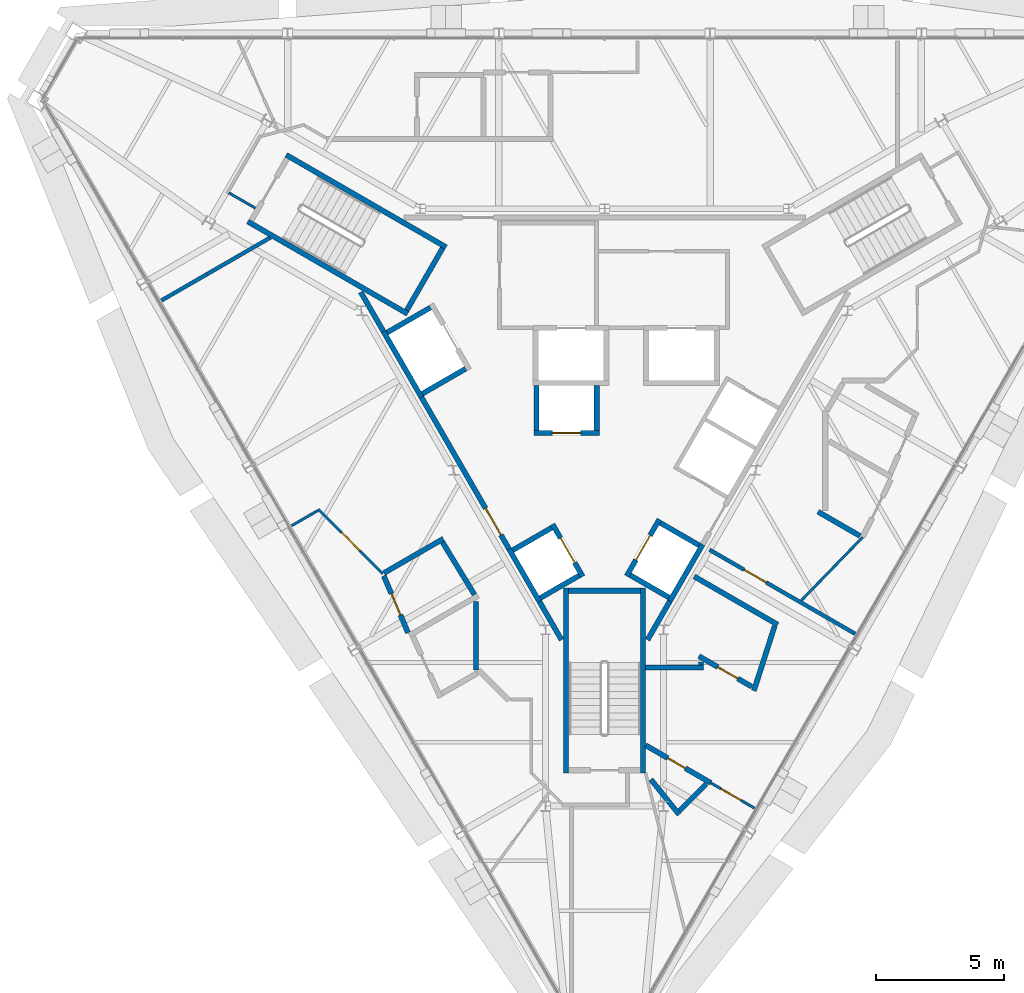
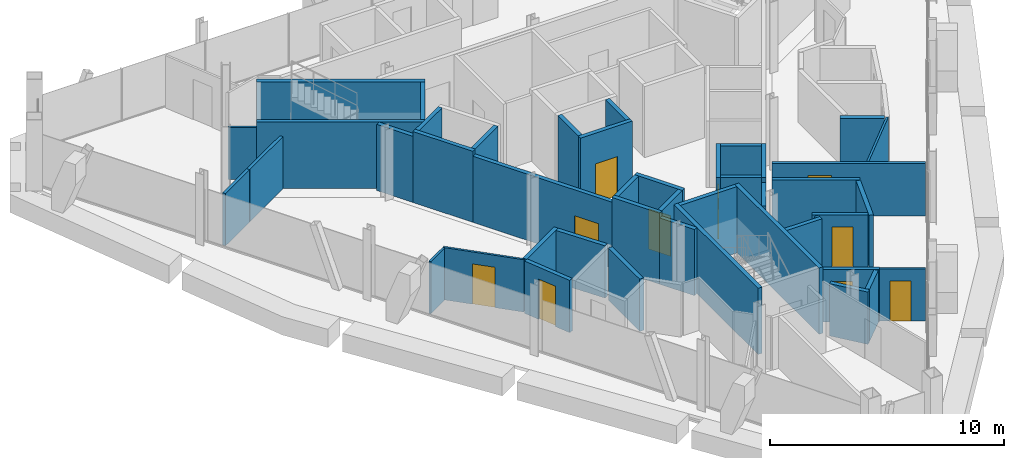
# One storey, part 8 of 11: 45 walls, 10 doors, 10 openings.
"""IFC4 building model written with IfcOpenShell, lengths in metres."""

from ifc_helpers import new_model, si_unit, direction, frame, frame_2d, origin, place, context, subcontext, project, spatial, rectangle, extrude, material, layer, layer_set, type_object, element, fill, save


model = new_model("IFC4")

# Units and contexts
model_context = context("Model", 3, precision=1e-05, world=origin(), true_north=direction((0.0, 1.0)))
body_context = subcontext(model_context, "Body", "Model", "MODEL_VIEW")
ifc_project = project(units=[si_unit("LENGTHUNIT", "METRE"), si_unit("AREAUNIT", "SQUARE_METRE"), si_unit("VOLUMEUNIT", "CUBIC_METRE"), si_unit("PLANEANGLEUNIT", "RADIAN"), si_unit("MASSUNIT", "GRAM", prefix="KILO")], contexts=[model_context])

# Site, building, storey
site_placement = place(None, origin())
site = spatial("IfcSite", under=ifc_project, at=site_placement, CompositionType="ELEMENT")
building_placement = place(site_placement, origin())
building = spatial("IfcBuilding", under=site, at=building_placement, Name="Verrane Prism Tower", CompositionType="ELEMENT")
storey_placement = place(building_placement, frame((0.0, 0.0, 267.699951171875)))
storey = spatial("IfcBuildingStorey", under=building, at=storey_placement, Name="L67", CompositionType="ELEMENT", Elevation=267.699951171875)

# Wall
ifc_material_1 = material(Name="Gypsum board partition", Category="other")
ifc_layer_1 = layer(ifc_material_1, 0.199951171875)
ifc_layer_set_1 = layer_set([ifc_layer_1], Name="CW-200 core boundary wall 2 h")
wall_type_1 = type_object("IfcWallType", Name="CW-200 core boundary wall 2 h", PredefinedType="PARTITIONING", material=ifc_layer_set_1)
wall_1_placement = place(storey_placement, frame((-9.509033203125, 3.550537109375, 0.0), z_axis=(0.0, 0.0, 1.0), x_axis=(0.499999136801, -0.866025902152, 0.0)))
element("IfcWall", 1, at=wall_1_placement, inside=storey, type_object=wall_type_1, Name="Core boundary wall CW3-001", PredefinedType="PARTITIONING", context=body_context, shape_type="SweptSolid", body=[
    extrude(rectangle(XDim=1.7822265625, YDim=0.199951171875, at=frame_2d((0.89111328125, 0.0))), origin(), (0.0, 0.0, 1.0), 3.449951171875),
])

# Wall, opening, door
wall_2_placement = place(storey_placement, frame((-7.14111328125, -0.551025390625, 0.0), z_axis=(0.0, 0.0, 1.0), x_axis=(0.500001302854, -0.86602465158, 0.0)))
wall_2 = element("IfcWall", 2, at=wall_2_placement, inside=storey, type_object=wall_type_1, Name="Core boundary wall CW3-003", PredefinedType="PARTITIONING", context=body_context, shape_type="SweptSolid", body=[
    extrude(rectangle(XDim=6.84619140625, YDim=0.199951171875, at=frame_2d((3.423095703125, 0.0))), origin(), (0.0, 0.0, 1.0), 3.449951171875),
])
opening_1_placement = place(wall_2_placement, frame((5.0, 0.0, 0.0)))
opening_1 = element("IfcOpeningElement", 3, at=opening_1_placement, cuts=wall_2, Name="Opening D66510", PredefinedType="OPENING", context=body_context, shape_type="SweptSolid", body=[
    extrude(rectangle(XDim=1.199951171875, YDim=2.10009765625, at=frame_2d((0.60009765625, 1.050048828125))), frame((0.0, 0.10986328125, 0.0), z_axis=(0.0, -1.0, 0.0), x_axis=(1.0, 0.0, 0.0)), (0.0, 0.0, 1.0), 0.219970703125),
])
ifc_material_2 = material(Name="Timber veneered door leaf", Category="wood")
door_type_1 = type_object("IfcDoorType", Name="DR-1200x2100 FD60 single leaf lift lobby", OperationType="NOTDEFINED", PredefinedType="DOOR", material=ifc_material_2)
door_1_placement = place(opening_1_placement, origin())
door_1 = element("IfcDoor", 4, at=door_1_placement, inside=storey, type_object=door_type_1, Name="Lift lobby door D66510", OperationType="SINGLE_SWING_RIGHT", OverallHeight=2.10009765625, OverallWidth=1.199951171875, PredefinedType="DOOR", context=body_context, shape_type="SweptSolid", body=[
    extrude(rectangle(XDim=1.199951171875, YDim=2.10009765625, at=frame_2d((0.60009765625, 1.050048828125))), frame((0.0, 0.02490234375, 0.0), z_axis=(0.0, -1.0, 0.0), x_axis=(1.0, 0.0, 0.0)), (0.0, 0.0, 1.0), 0.050048828125),
])
fill(opening_1, door_1)

# Walls
wall_3_placement = place(storey_placement, frame((-2.541015625, -8.51904296875, 0.0), z_axis=(0.0, 0.0, 1.0), x_axis=(0.500016142392, -0.86601608377, 0.0)))
element("IfcWall", 5, at=wall_3_placement, inside=storey, type_object=wall_type_1, Name="Core boundary wall CW3-004", PredefinedType="PARTITIONING", context=body_context, shape_type="SweptSolid", body=[
    extrude(rectangle(XDim=1.72705078125, YDim=0.199951171875, at=frame_2d((0.863525390625, 0.0))), origin(), (0.0, 0.0, 1.0), 3.449951171875),
])
wall_4_placement = place(storey_placement, frame((1.677490234375, -10.0146484375, 0.0), z_axis=(0.0, 0.0, 1.0), x_axis=(0.49983532306, 0.866120459187, 0.0)))
element("IfcWall", 6, at=wall_4_placement, inside=storey, type_object=wall_type_1, Name="Core boundary wall CW3-005", PredefinedType="PARTITIONING", context=body_context, shape_type="SweptSolid", body=[
    extrude(rectangle(XDim=1.74755859375, YDim=0.199951171875, at=frame_2d((0.873779296875, 0.0))), origin(), (0.0, 0.0, 1.0), 3.449951171875),
])
ifc_material_3 = material(Name="Concrete C40/50", Category="concrete")
ifc_layer_2 = layer(ifc_material_3, 0.199951171875)
ifc_layer_set_2 = layer_set([ifc_layer_2], Name="CW-200 stair core wall concrete C40/50 3 h")
wall_type_2 = type_object("IfcWallType", Name="CW-200 stair core wall concrete C40/50 3 h", PredefinedType="PARTITIONING", material=ifc_layer_set_2)
for number, where, z_axis, x_axis, name in (
    (7, (-7.67822265625, 2.700927734375, 0.0), (0.0, 0.0, 1.0), (-0.866018442252, 0.500012057535, 0.0), "Stair 2 enclosure wall"),
    (8, (-6.17822265625, 5.299072265625, 0.0), (0.0, 0.0, 1.0), (-0.866033125095, 0.499986626058, 0.0), "Stair 2 enclosure wall"),
):
    element("IfcWall", number, at=place(storey_placement, frame(where, z_axis=z_axis, x_axis=x_axis)), inside=storey, type_object=wall_type_2, Name=name, PredefinedType="PARTITIONING", context=body_context, shape_type="SweptSolid", body=[
        extrude(rectangle(XDim=7.199951171875, YDim=0.199951171875, at=frame_2d((3.60009765625, 0.0))), origin(), (0.0, 0.0, 1.0), 3.449951171875),
    ])
wall_5_placement = place(storey_placement, frame((-6.314697265625, 5.262451171875, 0.0), z_axis=(0.0, 0.0, 1.0), x_axis=(-0.500049511043, -0.865996816683, 0.0)))
element("IfcWall", 9, at=wall_5_placement, inside=storey, type_object=wall_type_2, Name="Stair 2 enclosure wall", PredefinedType="PARTITIONING", context=body_context, shape_type="SweptSolid", body=[
    extrude(rectangle(XDim=2.800048828125, YDim=0.199951171875, at=frame_2d((1.39990234375, 0.0))), origin(), (0.0, 0.0, 1.0), 3.449951171875),
])
for number, where, z_axis, x_axis, name in (
    (10, (1.5, -8.0, 0.0), (0.0, 0.0, 1.0), (0.0, -1.0, 0.0), "Stair 3 enclosure wall"),
    (11, (-1.5, -8.0, 0.0), (0.0, 0.0, 1.0), (0.0, -1.0, 0.0), "Stair 3 enclosure wall"),
):
    element("IfcWall", number, at=place(storey_placement, frame(where, z_axis=z_axis, x_axis=x_axis)), inside=storey, type_object=wall_type_2, Name=name, PredefinedType="PARTITIONING", context=body_context, shape_type="SweptSolid", body=[
        extrude(rectangle(XDim=7.199951171875, YDim=0.199951171875, at=frame_2d((3.60009765625, 0.0))), origin(), (0.0, 0.0, 1.0), 3.449951171875),
    ])
wall_6_placement = place(storey_placement, frame((-1.39990234375, -8.10009765625, 0.0), z_axis=(0.0, 0.0, 1.0), x_axis=(1.0, 0.0, 0.0)))
element("IfcWall", 12, at=wall_6_placement, inside=storey, type_object=wall_type_2, Name="Stair 3 enclosure wall", PredefinedType="PARTITIONING", context=body_context, shape_type="SweptSolid", body=[
    extrude(rectangle(XDim=2.7998046875, YDim=0.199951171875, at=frame_2d((1.39990234375, 0.0))), origin(), (0.0, 0.0, 1.0), 3.449951171875),
])

# Wall, opening, door
ifc_material_4 = material(Name="Gypsum board shaft wall assembly", Category="other")
ifc_layer_3 = layer(ifc_material_4, 0.199951171875)
ifc_layer_set_3 = layer_set([ifc_layer_3], Name="HW-200 lift shaft wall 2 h")
wall_type_3 = type_object("IfcWallType", Name="HW-200 lift shaft wall 2 h", PredefinedType="PARTITIONING", material=ifc_layer_set_3)
wall_7_placement = place(storey_placement, frame((-2.7548828125, -1.949951171875, 0.0), z_axis=(0.0, 0.0, 1.0), x_axis=(1.0, 0.0, 0.0)))
wall_7 = element("IfcWall", 13, at=wall_7_placement, inside=storey, type_object=wall_type_3, Name="Lift shaft wall", PredefinedType="PARTITIONING", context=body_context, shape_type="SweptSolid", body=[
    extrude(rectangle(XDim=2.5498046875, YDim=0.199951171875, at=frame_2d((1.27490234375, 0.0))), origin(), (0.0, 0.0, 1.0), 3.699951171875),
])
opening_2_placement = place(wall_7_placement, frame((0.72509765625, 0.0, 0.0)))
opening_2 = element("IfcOpeningElement", 14, at=opening_2_placement, cuts=wall_7, Name="Opening D66504", PredefinedType="OPENING", context=body_context, shape_type="SweptSolid", body=[
    extrude(rectangle(XDim=1.10009765625, YDim=2.10009765625, at=frame_2d((0.550048828125, 1.050048828125))), frame((0.0, 0.10986328125, 0.0), z_axis=(0.0, -1.0, 0.0), x_axis=(1.0, 0.0, 0.0)), (0.0, 0.0, 1.0), 0.219970703125),
])
ifc_material_5 = material(Name="Stainless steel sliding landing door", Category="steel")
door_type_2 = type_object("IfcDoorType", Name="LD-1100x2100 lift landing door FD90 sliding", OperationType="NOTDEFINED", PredefinedType="DOOR", material=ifc_material_5)
door_2_placement = place(opening_2_placement, origin())
door_2 = element("IfcDoor", 15, at=door_2_placement, inside=storey, type_object=door_type_2, Name="Bank C lift 2 landing door", OperationType="SLIDING_TO_RIGHT", OverallHeight=2.10009765625, OverallWidth=1.10009765625, PredefinedType="DOOR", context=body_context, shape_type="SweptSolid", body=[
    extrude(rectangle(XDim=1.10009765625, YDim=2.10009765625, at=frame_2d((0.550048828125, 1.050048828125))), frame((0.0, 0.02490234375, 0.0), z_axis=(0.0, -1.0, 0.0), x_axis=(1.0, 0.0, 0.0)), (0.0, 0.0, 1.0), 0.050048828125),
])
fill(opening_2, door_2)

# Walls
for number, where, z_axis, x_axis, name in (
    (16, (-2.50537109375, -8.38037109375, 0.0), (0.0, 0.0, 1.0), (0.866002029911, 0.500040482552, 0.0), "Lift shaft wall"),
    (17, (-3.580322265625, -6.5185546875, 0.0), (0.0, 0.0, 1.0), (0.866002029911, 0.500040482552, 0.0), "Lift shaft wall"),
):
    element("IfcWall", number, at=place(storey_placement, frame(where, z_axis=z_axis, x_axis=x_axis)), inside=storey, type_object=wall_type_3, Name=name, PredefinedType="PARTITIONING", context=body_context, shape_type="SweptSolid", body=[
        extrude(rectangle(XDim=1.749755859375, YDim=0.199951171875, at=frame_2d((0.875, 0.0))), origin(), (0.0, 0.0, 1.0), 3.699951171875),
    ])
for number, where, z_axis, x_axis, name in (
    (18, (-7.10546875, -0.4130859375, 0.0), (0.0, 0.0, 1.0), (0.866000020948, 0.500043961785, 0.0), "Lift shaft wall"),
    (19, (-8.48046875, 1.968505859375, 0.0), (0.0, 0.0, 1.0), (0.866000020948, 0.500043961785, 0.0), "Lift shaft wall"),
):
    element("IfcWall", number, at=place(storey_placement, frame(where, z_axis=z_axis, x_axis=x_axis)), inside=storey, type_object=wall_type_3, Name=name, PredefinedType="PARTITIONING", context=body_context, shape_type="SweptSolid", body=[
        extrude(rectangle(XDim=1.949951171875, YDim=0.199951171875, at=frame_2d((0.97509765625, 0.0))), origin(), (0.0, 0.0, 1.0), 3.699951171875),
    ])
wall_8_placement = place(storey_placement, frame((2.552001953125, -8.499755859375, 0.0), z_axis=(0.0, 0.0, 1.0), x_axis=(0.499990435942, 0.866030925526, 0.0)))
element("IfcWall", 20, at=wall_8_placement, inside=storey, type_object=wall_type_3, Name="Lift shaft wall", PredefinedType="PARTITIONING", context=body_context, shape_type="SweptSolid", body=[
    extrude(rectangle(XDim=2.5498046875, YDim=0.199951171875, at=frame_2d((1.27490234375, 0.0))), origin(), (0.0, 0.0, 1.0), 3.699951171875),
])

# Wall, opening, door
wall_9_placement = place(storey_placement, frame((0.86328125, -7.524658203125, 0.0), z_axis=(0.0, 0.0, 1.0), x_axis=(0.499990435942, 0.866030925526, 0.0)))
wall_9 = element("IfcWall", 21, at=wall_9_placement, inside=storey, type_object=wall_type_3, Name="Lift shaft wall", PredefinedType="PARTITIONING", context=body_context, shape_type="SweptSolid", body=[
    extrude(rectangle(XDim=2.5498046875, YDim=0.199951171875, at=frame_2d((1.27490234375, 0.0))), origin(), (0.0, 0.0, 1.0), 3.699951171875),
])
opening_3_placement = place(wall_9_placement, frame((0.72509765625, 0.0, 0.0)))
opening_3 = element("IfcOpeningElement", 22, at=opening_3_placement, cuts=wall_9, Name="Opening D66505", PredefinedType="OPENING", context=body_context, shape_type="SweptSolid", body=[
    extrude(rectangle(XDim=1.10009765625, YDim=2.10009765625, at=frame_2d((0.550048828125, 1.050048828125))), frame((0.0, 0.10986328125, 0.0), z_axis=(0.0, -1.0, 0.0), x_axis=(1.0, 0.0, 0.0)), (0.0, 0.0, 1.0), 0.219970703125),
])
door_3_placement = place(opening_3_placement, origin())
door_3 = element("IfcDoor", 23, at=door_3_placement, inside=storey, type_object=door_type_2, Name="Bank C lift 3 landing door", OperationType="SLIDING_TO_LEFT", OverallHeight=2.10009765625, OverallWidth=1.10009765625, PredefinedType="DOOR", context=body_context, shape_type="SweptSolid", body=[
    extrude(rectangle(XDim=1.10009765625, YDim=2.10009765625, at=frame_2d((0.550048828125, 1.050048828125))), frame((0.0, 0.02490234375, 0.0), z_axis=(0.0, -1.0, 0.0), x_axis=(1.0, 0.0, 0.0)), (0.0, 0.0, 1.0), 0.050048828125),
])
fill(opening_3, door_3)

# Walls
for number, where, z_axis, x_axis, name in (
    (24, (-0.304931640625, -1.85009765625, 0.0), (0.0, 0.0, 1.0), (0.0, 1.0, 0.0), "Lift shaft wall"),
    (25, (-2.655029296875, -1.85009765625, 0.0), (0.0, 0.0, 1.0), (0.0, 1.0, 0.0), "Lift shaft wall"),
):
    element("IfcWall", number, at=place(storey_placement, frame(where, z_axis=z_axis, x_axis=x_axis)), inside=storey, type_object=wall_type_3, Name=name, PredefinedType="PARTITIONING", context=body_context, shape_type="SweptSolid", body=[
        extrude(rectangle(XDim=1.75, YDim=0.199951171875, at=frame_2d((0.875, 0.0))), origin(), (0.0, 0.0, 1.0), 3.699951171875),
    ])

# Wall, opening, door
wall_10_placement = place(storey_placement, frame((-0.853271484375, -7.5419921875, 0.0), z_axis=(0.0, 0.0, 1.0), x_axis=(-0.500016218704, 0.866016039709, 0.0)))
wall_10 = element("IfcWall", 26, at=wall_10_placement, inside=storey, type_object=wall_type_3, Name="Lift shaft wall", PredefinedType="PARTITIONING", context=body_context, shape_type="SweptSolid", body=[
    extrude(rectangle(XDim=2.35009765625, YDim=0.199951171875, at=frame_2d((1.175048828125, 0.0))), origin(), (0.0, 0.0, 1.0), 3.699951171875),
])
opening_4_placement = place(wall_10_placement, frame((0.625, 0.0, 0.0)))
opening_4 = element("IfcOpeningElement", 27, at=opening_4_placement, cuts=wall_10, Name="Opening D66503", PredefinedType="OPENING", context=body_context, shape_type="SweptSolid", body=[
    extrude(rectangle(XDim=1.10009765625, YDim=2.10009765625, at=frame_2d((0.550048828125, 1.050048828125))), frame((0.0, 0.10986328125, 0.0), z_axis=(0.0, -1.0, 0.0), x_axis=(1.0, 0.0, 0.0)), (0.0, 0.0, 1.0), 0.219970703125),
])
door_4_placement = place(opening_4_placement, origin())
door_4 = element("IfcDoor", 28, at=door_4_placement, inside=storey, type_object=door_type_2, Name="Bank C lift 1 landing door", OperationType="SLIDING_TO_LEFT", OverallHeight=2.10009765625, OverallWidth=1.10009765625, PredefinedType="DOOR", context=body_context, shape_type="SweptSolid", body=[
    extrude(rectangle(XDim=1.10009765625, YDim=2.10009765625, at=frame_2d((0.550048828125, 1.050048828125))), frame((0.0, 0.02490234375, 0.0), z_axis=(0.0, -1.0, 0.0), x_axis=(1.0, 0.0, 0.0)), (0.0, 0.0, 1.0), 0.050048828125),
])
fill(opening_4, door_4)

# Walls
wall_11_placement = place(storey_placement, frame((-2.5419921875, -8.51708984375, 0.0), z_axis=(0.0, 0.0, 1.0), x_axis=(-0.500016218704, 0.866016039709, 0.0)))
element("IfcWall", 29, at=wall_11_placement, inside=storey, type_object=wall_type_3, Name="Lift shaft wall", PredefinedType="PARTITIONING", context=body_context, shape_type="SweptSolid", body=[
    extrude(rectangle(XDim=2.35009765625, YDim=0.199951171875, at=frame_2d((1.175048828125, 0.0))), origin(), (0.0, 0.0, 1.0), 3.699951171875),
])
wall_12_placement = place(storey_placement, frame((-7.14208984375, -0.549560546875, 0.0), z_axis=(0.0, 0.0, 1.0), x_axis=(-0.49997559174, 0.866039495442, 0.0)))
element("IfcWall", 30, at=wall_12_placement, inside=storey, type_object=wall_type_3, Name="Lift shaft wall", PredefinedType="PARTITIONING", context=body_context, shape_type="SweptSolid", body=[
    extrude(rectangle(XDim=2.949951171875, YDim=0.199951171875, at=frame_2d((1.47509765625, 0.0))), origin(), (0.0, 0.0, 1.0), 3.699951171875),
])
for number, where, z_axis, x_axis, name in (
    (31, (3.6904296875, -6.327880859375, 0.0), (0.0, 0.0, 1.0), (-0.866036909293, 0.499980071345, 0.0), "Lift shaft wall"),
    (32, (2.515380859375, -8.36328125, 0.0), (0.0, 0.0, 1.0), (-0.866036909293, 0.499980071345, 0.0), "Lift shaft wall"),
):
    element("IfcWall", number, at=place(storey_placement, frame(where, z_axis=z_axis, x_axis=x_axis)), inside=storey, type_object=wall_type_3, Name=name, PredefinedType="PARTITIONING", context=body_context, shape_type="SweptSolid", body=[
        extrude(rectangle(XDim=1.75, YDim=0.199951171875, at=frame_2d((0.875, 0.0))), origin(), (0.0, 0.0, 1.0), 3.699951171875),
    ])
ifc_material_6 = material(Name="Gypsum board partition", Category="other")
ifc_layer_4 = layer(ifc_material_6, 0.10009765625)
ifc_layer_set_4 = layer_set([ifc_layer_4], Name="PW-100 room partition")
wall_type_4 = type_object("IfcWallType", Name="PW-100 room partition", PredefinedType="PARTITIONING", material=ifc_layer_set_4)
wall_13_placement = place(storey_placement, frame((-14.652587890625, 7.4208984375, 0.0), z_axis=(0.0, 0.0, 1.0), x_axis=(0.865941482684, -0.500145327446, 0.0)))
element("IfcWall", 33, at=wall_13_placement, inside=storey, type_object=wall_type_4, Name="Room partition 003", PredefinedType="PARTITIONING", context=body_context, shape_type="SweptSolid", body=[
    extrude(rectangle(XDim=1.199462890625, YDim=0.10009765625, at=frame_2d((0.599609375, 0.0))), origin(), (0.0, 0.0, 1.0), 2.72314453125),
])
wall_14_placement = place(storey_placement, frame((-12.205078125, -5.562255859375, 0.0), z_axis=(0.0, 0.0, 1.0), x_axis=(0.865895054285, 0.500225704022, 0.0)))
element("IfcWall", 34, at=wall_14_placement, inside=storey, type_object=wall_type_4, Name="Room partition 007", PredefinedType="PARTITIONING", context=body_context, shape_type="SweptSolid", body=[
    extrude(rectangle(XDim=1.17578125, YDim=0.10009765625, at=frame_2d((0.587890625, 0.0))), origin(), (0.0, 0.0, 1.0), 2.72314453125),
])

# Wall, opening, door
wall_15_placement = place(storey_placement, frame((-8.64599609375, -7.43310546875, 0.0), z_axis=(0.0, 0.0, 1.0), x_axis=(-0.707106781187, 0.707106781187, 0.0)))
wall_15 = element("IfcWall", 35, at=wall_15_placement, inside=storey, type_object=wall_type_4, Name="Room partition 009", PredefinedType="PARTITIONING", context=body_context, shape_type="SweptSolid", body=[
    extrude(rectangle(XDim=3.570068359375, YDim=0.10009765625, at=frame_2d((1.78515625, 0.0))), origin(), (0.0, 0.0, 1.0), 2.72314453125),
])
opening_5_placement = place(wall_15_placement, frame((1.27001953125, 0.0, 0.0)))
opening_5 = element("IfcOpeningElement", 36, at=opening_5_placement, cuts=wall_15, Name="Opening D66014", PredefinedType="OPENING", context=body_context, shape_type="SweptSolid", body=[
    extrude(rectangle(XDim=1.0, YDim=2.10009765625, at=frame_2d((0.5, 1.050048828125))), frame((0.0, 0.06005859375, 0.0), z_axis=(0.0, -1.0, 0.0), x_axis=(1.0, 0.0, 0.0)), (0.0, 0.0, 1.0), 0.1201171875),
])
ifc_material_7 = material(Name="Timber veneered door leaf", Category="wood")
door_type_3 = type_object("IfcDoorType", Name="DR-1000x2100 single leaf inner", OperationType="NOTDEFINED", PredefinedType="DOOR", material=ifc_material_7)
door_5_placement = place(opening_5_placement, origin())
door_5 = element("IfcDoor", 37, at=door_5_placement, inside=storey, type_object=door_type_3, Name="Entrance Foyer door", OperationType="SINGLE_SWING_LEFT", OverallHeight=2.10009765625, OverallWidth=1.0, PredefinedType="DOOR", context=body_context, shape_type="SweptSolid", body=[
    extrude(rectangle(XDim=1.0, YDim=2.10009765625, at=frame_2d((0.5, 1.050048828125))), frame((0.0, 0.02490234375, 0.0), z_axis=(0.0, -1.0, 0.0), x_axis=(1.0, 0.0, 0.0)), (0.0, 0.0, 1.0), 0.050048828125),
])
fill(opening_5, door_5)

wall_16_placement = place(storey_placement, frame((5.846923828125, -16.574951171875, 0.0), z_axis=(0.0, 0.0, 1.0), x_axis=(-0.866156637233, 0.499772628079, 0.0)))
wall_16 = element("IfcWall", 38, at=wall_16_placement, inside=storey, type_object=wall_type_4, Name="Room partition 041", PredefinedType="PARTITIONING", context=body_context, shape_type="SweptSolid", body=[
    extrude(rectangle(XDim=1.9658203125, YDim=0.10009765625, at=frame_2d((0.98291015625, 0.0))), origin(), (0.0, 0.0, 1.0), 2.72314453125),
])
opening_6_placement = place(wall_16_placement, frame((0.61083984375, 0.0, 0.0)))
opening_6 = element("IfcOpeningElement", 39, at=opening_6_placement, cuts=wall_16, Name="Opening D66001", PredefinedType="OPENING", context=body_context, shape_type="SweptSolid", body=[
    extrude(rectangle(XDim=0.89990234375, YDim=2.10009765625, at=frame_2d((0.449951171875, 1.050048828125))), frame((0.0, 0.06005859375, 0.0), z_axis=(0.0, -1.0, 0.0), x_axis=(1.0, 0.0, 0.0)), (0.0, 0.0, 1.0), 0.1201171875),
])
ifc_material_8 = material(Name="Timber veneered door leaf", Category="wood")
door_type_4 = type_object("IfcDoorType", Name="DR-900x2100 single leaf inner", OperationType="NOTDEFINED", PredefinedType="DOOR", material=ifc_material_8)
door_6_placement = place(opening_6_placement, origin())
door_6 = element("IfcDoor", 40, at=door_6_placement, inside=storey, type_object=door_type_4, Name="Living And Dining Room door", OperationType="SINGLE_SWING_RIGHT", OverallHeight=2.10009765625, OverallWidth=0.89990234375, PredefinedType="DOOR", context=body_context, shape_type="SweptSolid", body=[
    extrude(rectangle(XDim=0.89990234375, YDim=2.10009765625, at=frame_2d((0.449951171875, 1.050048828125))), frame((0.0, 0.02490234375, 0.0), z_axis=(0.0, -1.0, 0.0), x_axis=(1.0, 0.0, 0.0)), (0.0, 0.0, 1.0), 0.050048828125),
])
fill(opening_6, door_6)

# Walls
wall_17_placement = place(storey_placement, frame((7.681640625, -8.470458984375, 0.0), z_axis=(0.0, 0.0, 1.0), x_axis=(0.696344433623, 0.717707760696, 0.0)))
element("IfcWall", 41, at=wall_17_placement, inside=storey, type_object=wall_type_4, Name="Room partition 044", PredefinedType="PARTITIONING", context=body_context, shape_type="SweptSolid", body=[
    extrude(rectangle(XDim=3.4169921875, YDim=0.10009765625, at=frame_2d((1.70849609375, 0.0))), origin(), (0.0, 0.0, 1.0), 2.72314453125),
])
ifc_material_9 = material(Name="Gypsum board partition", Category="other")
ifc_layer_5 = layer(ifc_material_9, 0.14990234375)
ifc_layer_set_5 = layer_set([ifc_layer_5], Name="PW-150 demising wall 1 h")
wall_type_5 = type_object("IfcWallType", Name="PW-150 demising wall 1 h", PredefinedType="PARTITIONING", material=ifc_layer_set_5)
wall_18_placement = place(storey_placement, frame((-17.277587890625, 3.22412109375, 0.0), z_axis=(0.0, 0.0, 1.0), x_axis=(0.8661500768, 0.499783997803, 0.0)))
element("IfcWall", 42, at=wall_18_placement, inside=storey, type_object=wall_type_5, Name="Demising wall 001", PredefinedType="PARTITIONING", context=body_context, shape_type="SweptSolid", body=[
    extrude(rectangle(XDim=2.060546875, YDim=0.14990234375, at=frame_2d((1.0302734375, 0.0))), origin(), (0.0, 0.0, 1.0), 2.72314453125),
])
wall_19_placement = place(storey_placement, frame((-15.489013671875, 4.257080078125, 0.0), z_axis=(0.0, 0.0, 1.0), x_axis=(0.866053804324, 0.499950805595, 0.0)))
element("IfcWall", 43, at=wall_19_placement, inside=storey, type_object=wall_type_5, Name="Demising wall 002", PredefinedType="PARTITIONING", context=body_context, shape_type="SweptSolid", body=[
    extrude(rectangle(XDim=2.838134765625, YDim=0.14990234375, at=frame_2d((1.4189453125, 0.0))), origin(), (0.0, 0.0, 1.0), 2.72314453125),
])

# Wall, opening, door
wall_20_placement = place(storey_placement, frame((9.771728515625, -9.77685546875, 0.0), z_axis=(0.0, 0.0, 1.0), x_axis=(-0.866083818164, 0.499898809675, 0.0)))
wall_20 = element("IfcWall", 44, at=wall_20_placement, inside=storey, type_object=wall_type_5, Name="Demising wall 042", PredefinedType="PARTITIONING", context=body_context, shape_type="SweptSolid", body=[
    extrude(rectangle(XDim=6.551025390625, YDim=0.14990234375, at=frame_2d((3.275390625, 0.0))), origin(), (0.0, 0.0, 1.0), 2.72314453125),
])
opening_7_placement = place(wall_20_placement, frame((4.0009765625, 0.0, 0.0)))
opening_7 = element("IfcOpeningElement", 45, at=opening_7_placement, cuts=wall_20, Name="Opening D66002", PredefinedType="OPENING", context=body_context, shape_type="SweptSolid", body=[
    extrude(rectangle(XDim=1.0, YDim=2.10009765625, at=frame_2d((0.5, 1.050048828125))), frame((0.0, 0.0849609375, 0.0), z_axis=(0.0, -1.0, 0.0), x_axis=(1.0, 0.0, 0.0)), (0.0, 0.0, 1.0), 0.169921875),
])
ifc_material_10 = material(Name="Timber veneered door leaf", Category="wood")
door_type_5 = type_object("IfcDoorType", Name="DR-1000x2100 FD20 single leaf inner", OperationType="NOTDEFINED", PredefinedType="DOOR", material=ifc_material_10)
door_7_placement = place(opening_7_placement, origin())
door_7 = element("IfcDoor", 46, at=door_7_placement, inside=storey, type_object=door_type_5, Name="Entrance Foyer door", OperationType="SINGLE_SWING_LEFT", OverallHeight=2.10009765625, OverallWidth=1.0, PredefinedType="DOOR", context=body_context, shape_type="SweptSolid", body=[
    extrude(rectangle(XDim=1.0, YDim=2.10009765625, at=frame_2d((0.5, 1.050048828125))), frame((0.0, 0.02490234375, 0.0), z_axis=(0.0, -1.0, 0.0), x_axis=(1.0, 0.0, 0.0)), (0.0, 0.0, 1.0), 0.050048828125),
])
fill(opening_7, door_7)

ifc_material_11 = material(Name="Gypsum board partition", Category="other")
ifc_layer_6 = layer(ifc_material_11, 0.199951171875)
ifc_layer_set_6 = layer_set([ifc_layer_6], Name="PW-200 plumbing wall")
wall_type_6 = type_object("IfcWallType", Name="PW-200 plumbing wall", PredefinedType="PARTITIONING", material=ifc_layer_set_6)
wall_21_placement = place(storey_placement, frame((-8.608642578125, -7.5205078125, 0.0), z_axis=(0.0, 0.0, 1.0), x_axis=(0.391998641344, -0.91996579566, 0.0)))
wall_21 = element("IfcWall", 47, at=wall_21_placement, inside=storey, type_object=wall_type_6, Name="Plumbing wall 011", PredefinedType="PARTITIONING", context=body_context, shape_type="SweptSolid", body=[
    extrude(rectangle(XDim=2.40966796875, YDim=0.199951171875, at=frame_2d((1.204833984375, 0.0))), origin(), (0.0, 0.0, 1.0), 2.72314453125),
])
opening_8_placement = place(wall_21_placement, frame((0.7548828125, 0.0, 0.0)))
opening_8 = element("IfcOpeningElement", 48, at=opening_8_placement, cuts=wall_21, Name="Opening D66015", PredefinedType="OPENING", context=body_context, shape_type="SweptSolid", body=[
    extrude(rectangle(XDim=0.89990234375, YDim=2.10009765625, at=frame_2d((0.449951171875, 1.050048828125))), frame((0.0, 0.10986328125, 0.0), z_axis=(0.0, -1.0, 0.0), x_axis=(1.0, 0.0, 0.0)), (0.0, 0.0, 1.0), 0.219970703125),
])
door_8_placement = place(opening_8_placement, origin())
door_8 = element("IfcDoor", 49, at=door_8_placement, inside=storey, type_object=door_type_4, Name="Kitchen door", OperationType="SINGLE_SWING_LEFT", OverallHeight=2.10009765625, OverallWidth=0.89990234375, PredefinedType="DOOR", context=body_context, shape_type="SweptSolid", body=[
    extrude(rectangle(XDim=0.89990234375, YDim=2.10009765625, at=frame_2d((0.449951171875, 1.050048828125))), frame((0.0, 0.02490234375, 0.0), z_axis=(0.0, -1.0, 0.0), x_axis=(1.0, 0.0, 0.0)), (0.0, 0.0, 1.0), 0.050048828125),
])
fill(opening_8, door_8)

# Walls
wall_22_placement = place(storey_placement, frame((-8.602783203125, -7.407958984375, 0.0), z_axis=(0.0, 0.0, 1.0), x_axis=(0.865966883336, 0.500101346695, 0.0)))
element("IfcWall", 50, at=wall_22_placement, inside=storey, type_object=wall_type_6, Name="Plumbing wall 012", PredefinedType="PARTITIONING", context=body_context, shape_type="SweptSolid", body=[
    extrude(rectangle(XDim=2.67724609375, YDim=0.199951171875, at=frame_2d((1.338623046875, 0.0))), origin(), (0.0, 0.0, 1.0), 2.72314453125),
])
wall_23_placement = place(storey_placement, frame((-6.31640625, -6.208740234375, 0.0), z_axis=(0.0, 0.0, 1.0), x_axis=(0.519665190876, -0.854369995606, 0.0)))
element("IfcWall", 51, at=wall_23_placement, inside=storey, type_object=wall_type_6, Name="Plumbing wall 018", PredefinedType="PARTITIONING", context=body_context, shape_type="SweptSolid", body=[
    extrude(rectangle(XDim=2.391845703125, YDim=0.199951171875, at=frame_2d((1.19580078125, 0.0))), origin(), (0.0, 0.0, 1.0), 2.72314453125),
])
wall_24_placement = place(storey_placement, frame((-5.01904296875, -11.18896484375, 0.0), z_axis=(0.0, 0.0, 1.0), x_axis=(0.0, 1.0, 0.0)))
element("IfcWall", 52, at=wall_24_placement, inside=storey, type_object=wall_type_6, Name="Plumbing wall 019", PredefinedType="PARTITIONING", context=body_context, shape_type="SweptSolid", body=[
    extrude(rectangle(XDim=2.677001953125, YDim=0.199951171875, at=frame_2d((1.33837890625, 0.0))), origin(), (0.0, 0.0, 1.0), 2.72314453125),
])
wall_25_placement = place(storey_placement, frame((1.806884765625, -15.45703125, 0.0), z_axis=(0.0, 0.0, 1.0), x_axis=(0.62721044395, -0.778849830841, 0.0)))
element("IfcWall", 53, at=wall_25_placement, inside=storey, type_object=wall_type_6, Name="Plumbing wall 033", PredefinedType="PARTITIONING", context=body_context, shape_type="SweptSolid", body=[
    extrude(rectangle(XDim=1.76123046875, YDim=0.199951171875, at=frame_2d((0.880615234375, 0.0))), origin(), (0.0, 0.0, 1.0), 2.72314453125),
])

# Wall, opening, door
wall_26_placement = place(storey_placement, frame((4.1435546875, -15.593017578125, 0.0), z_axis=(0.0, 0.0, 1.0), x_axis=(-0.865947474014, 0.500134954036, 0.0)))
wall_26 = element("IfcWall", 54, at=wall_26_placement, inside=storey, type_object=wall_type_6, Name="Plumbing wall 035", PredefinedType="PARTITIONING", context=body_context, shape_type="SweptSolid", body=[
    extrude(rectangle(XDim=2.937255859375, YDim=0.199951171875, at=frame_2d((1.46875, 0.0))), origin(), (0.0, 0.0, 1.0), 2.72314453125),
])
opening_9_placement = place(wall_26_placement, frame((1.13720703125, 0.0, 0.0)))
opening_9 = element("IfcOpeningElement", 55, at=opening_9_placement, cuts=wall_26, Name="Opening D66005", PredefinedType="OPENING", context=body_context, shape_type="SweptSolid", body=[
    extrude(rectangle(XDim=0.800048828125, YDim=2.10009765625, at=frame_2d((0.39990234375, 1.050048828125))), frame((0.0, 0.10986328125, 0.0), z_axis=(0.0, -1.0, 0.0), x_axis=(1.0, 0.0, 0.0)), (0.0, 0.0, 1.0), 0.219970703125),
])
ifc_material_12 = material(Name="Timber veneered door leaf", Category="wood")
door_type_6 = type_object("IfcDoorType", Name="DR-800x2100 single leaf inner", OperationType="NOTDEFINED", PredefinedType="DOOR", material=ifc_material_12)
door_9_placement = place(opening_9_placement, origin())
door_9 = element("IfcDoor", 56, at=door_9_placement, inside=storey, type_object=door_type_6, Name="Bathroom door", OperationType="SINGLE_SWING_RIGHT", OverallHeight=2.10009765625, OverallWidth=0.800048828125, PredefinedType="DOOR", context=body_context, shape_type="SweptSolid", body=[
    extrude(rectangle(XDim=0.800048828125, YDim=2.10009765625, at=frame_2d((0.39990234375, 1.050048828125))), frame((0.0, 0.02490234375, 0.0), z_axis=(0.0, -1.0, 0.0), x_axis=(1.0, 0.0, 0.0)), (0.0, 0.0, 1.0), 0.050048828125),
])
fill(opening_9, door_9)

# Walls
wall_27_placement = place(storey_placement, frame((1.60009765625, -11.089111328125, 0.0), z_axis=(0.0, 0.0, 1.0), x_axis=(1.0, 0.0, 0.0)))
element("IfcWall", 57, at=wall_27_placement, inside=storey, type_object=wall_type_6, Name="Plumbing wall 036", PredefinedType="PARTITIONING", context=body_context, shape_type="SweptSolid", body=[
    extrude(rectangle(XDim=2.268798828125, YDim=0.199951171875, at=frame_2d((1.13427734375, 0.0))), origin(), (0.0, 0.0, 1.0), 2.72314453125),
])
wall_28_placement = place(storey_placement, frame((2.9267578125, -16.67333984375, 0.0), z_axis=(0.0, 0.0, 1.0), x_axis=(0.707106781187, 0.707106781187, 0.0)))
element("IfcWall", 58, at=wall_28_placement, inside=storey, type_object=wall_type_6, Name="Plumbing wall 037", PredefinedType="PARTITIONING", context=body_context, shape_type="SweptSolid", body=[
    extrude(rectangle(XDim=1.468505859375, YDim=0.199951171875, at=frame_2d((0.734375, 0.0))), origin(), (0.0, 0.0, 1.0), 2.72314453125),
])
wall_29_placement = place(storey_placement, frame((3.498046875, -7.541015625, 0.0), z_axis=(0.0, 0.0, 1.0), x_axis=(0.865985624761, -0.500068892961, 0.0)))
element("IfcWall", 59, at=wall_29_placement, inside=storey, type_object=wall_type_6, Name="Plumbing wall 038", PredefinedType="PARTITIONING", context=body_context, shape_type="SweptSolid", body=[
    extrude(rectangle(XDim=3.76171875, YDim=0.199951171875, at=frame_2d((1.880859375, 0.0))), origin(), (0.0, 0.0, 1.0), 2.72314453125),
])
wall_30_placement = place(storey_placement, frame((3.76904296875, -10.989013671875, 0.0), z_axis=(0.0, 0.0, 1.0), x_axis=(0.0, 1.0, 0.0)))
element("IfcWall", 60, at=wall_30_placement, inside=storey, type_object=wall_type_6, Name="Plumbing wall 039", PredefinedType="PARTITIONING", context=body_context, shape_type="SweptSolid", body=[
    extrude(rectangle(XDim=0.118896484375, YDim=0.199951171875, at=frame_2d((0.0595703125, 0.0))), origin(), (0.0, 0.0, 1.0), 2.72314453125),
])

# Wall, opening, door
wall_31_placement = place(storey_placement, frame((3.682373046875, -10.64990234375, 0.0), z_axis=(0.0, 0.0, 1.0), x_axis=(0.86607302589, -0.499917507021, 0.0)))
wall_31 = element("IfcWall", 61, at=wall_31_placement, inside=storey, type_object=wall_type_6, Name="Plumbing wall 040", PredefinedType="PARTITIONING", context=body_context, shape_type="SweptSolid", body=[
    extrude(rectangle(XDim=2.3837890625, YDim=0.199951171875, at=frame_2d((1.19189453125, 0.0))), origin(), (0.0, 0.0, 1.0), 2.72314453125),
])
opening_10_placement = place(wall_31_placement, frame((0.85009765625, 0.0, 0.0)))
opening_10 = element("IfcOpeningElement", 62, at=opening_10_placement, cuts=wall_31, Name="Opening D66003", PredefinedType="OPENING", context=body_context, shape_type="SweptSolid", body=[
    extrude(rectangle(XDim=0.89990234375, YDim=2.10009765625, at=frame_2d((0.449951171875, 1.050048828125))), frame((0.0, 0.10986328125, 0.0), z_axis=(0.0, -1.0, 0.0), x_axis=(1.0, 0.0, 0.0)), (0.0, 0.0, 1.0), 0.219970703125),
])
door_10_placement = place(opening_10_placement, origin())
door_10 = element("IfcDoor", 63, at=door_10_placement, inside=storey, type_object=door_type_4, Name="Kitchen door", OperationType="SINGLE_SWING_LEFT", OverallHeight=2.10009765625, OverallWidth=0.89990234375, PredefinedType="DOOR", context=body_context, shape_type="SweptSolid", body=[
    extrude(rectangle(XDim=0.89990234375, YDim=2.10009765625, at=frame_2d((0.449951171875, 1.050048828125))), frame((0.0, 0.02490234375, 0.0), z_axis=(0.0, -1.0, 0.0), x_axis=(1.0, 0.0, 0.0)), (0.0, 0.0, 1.0), 0.050048828125),
])
fill(opening_10, door_10)

# Walls
wall_32_placement = place(storey_placement, frame((5.824462890625, -11.999267578125, 0.0), z_axis=(0.0, 0.0, 1.0), x_axis=(0.306054089199, 0.95201412515, 0.0)))
element("IfcWall", 64, at=wall_32_placement, inside=storey, type_object=wall_type_6, Name="Plumbing wall 043", PredefinedType="PARTITIONING", context=body_context, shape_type="SweptSolid", body=[
    extrude(rectangle(XDim=2.6396484375, YDim=0.199951171875, at=frame_2d((1.31982421875, 0.0))), origin(), (0.0, 0.0, 1.0), 2.72314453125),
])
wall_33_placement = place(storey_placement, frame((8.325439453125, -5.01611328125, 0.0), z_axis=(0.0, 0.0, 1.0), x_axis=(0.866093293964, -0.499882392319, 0.0)))
element("IfcWall", 65, at=wall_33_placement, inside=storey, type_object=wall_type_6, Name="Plumbing wall 045", PredefinedType="PARTITIONING", context=body_context, shape_type="SweptSolid", body=[
    extrude(rectangle(XDim=1.89404296875, YDim=0.199951171875, at=frame_2d((0.947021484375, 0.0))), origin(), (0.0, 0.0, 1.0), 2.72314453125),
])

save(model, "model.ifc")
